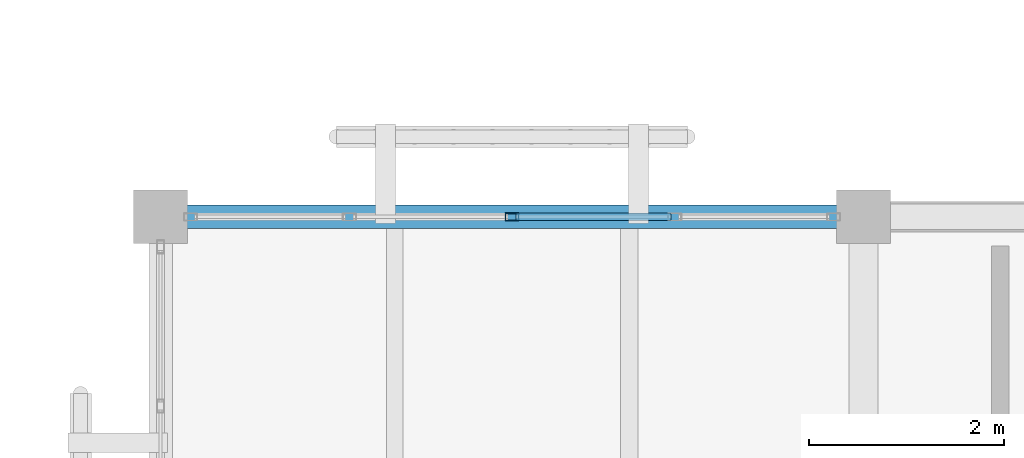
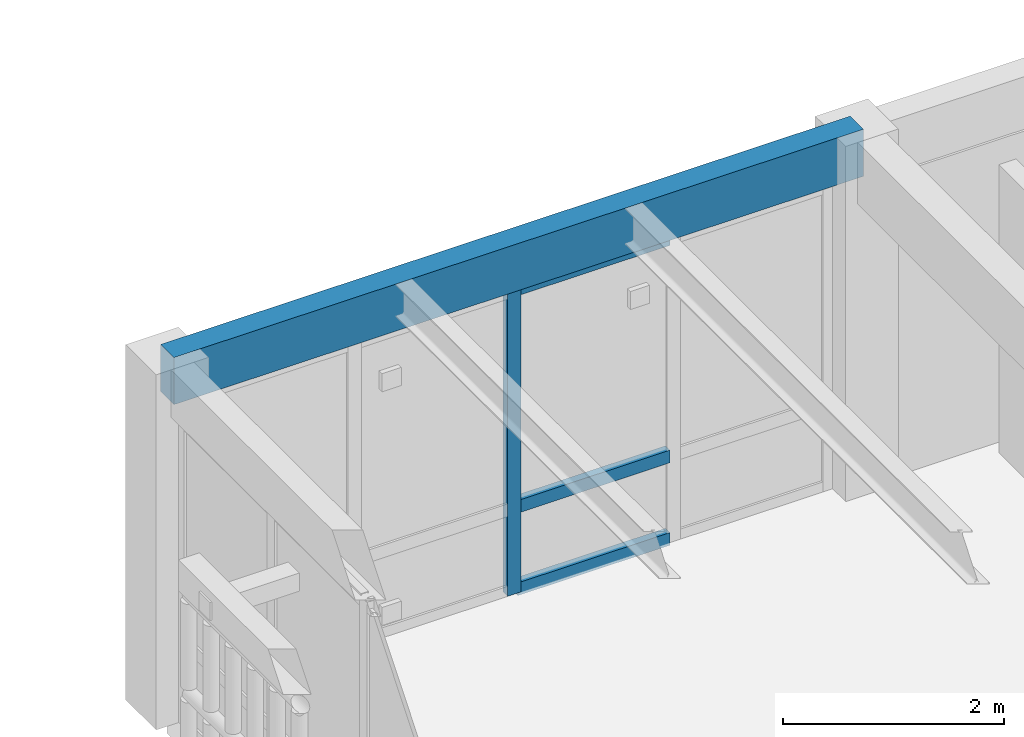
# One storey, part 88 of 170: 4 members, 1 beam, 1 element without a shape of its own.
"""IFC4 building model written with IfcOpenShell, lengths in metres."""

from ifc_helpers import new_model, si_unit, direction, frame, origin, origin_2d, place, context, subcontext, project, spatial, rectangle, hollow_rectangle, extrude, material, layer, layer_set, material_profile, profile_set, type_object, element, aggregate, save


model = new_model("IFC4")

# Units and contexts
model_context = context("Model", 3, precision=1e-05, world=origin(), true_north=direction((0.0, 1.0)))
body_context = subcontext(model_context, "Body", "Model", "MODEL_VIEW")
ifc_project = project(units=[si_unit("LENGTHUNIT", "METRE"), si_unit("AREAUNIT", "SQUARE_METRE"), si_unit("VOLUMEUNIT", "CUBIC_METRE"), si_unit("PLANEANGLEUNIT", "RADIAN"), si_unit("MASSUNIT", "GRAM", prefix="KILO")], contexts=[model_context])

# Site, building, storey
site_placement = place(None, origin())
site = spatial("IfcSite", under=ifc_project, at=site_placement, CompositionType="ELEMENT")
building_placement = place(site_placement, origin())
building = spatial("IfcBuilding", under=site, at=building_placement, Name="Mazaris Harbour Polytechnic", CompositionType="ELEMENT")
storey_placement = place(building_placement, frame((0.0, 0.0, 5.39990234375)))
storey = spatial("IfcBuildingStorey", under=building, at=storey_placement, Name="L01", CompositionType="ELEMENT", Elevation=5.39990234375)

# Curtain wall, members
ifc_material_1 = material(Name="Anodised Bronze Aluminium and Low-E Glass", Category="aluminium")
ifc_layer = layer(ifc_material_1, 0.169921875, Name="Anodised Bronze Aluminium and Low-E Glass")
ifc_layer_set = layer_set([ifc_layer], Name="Anodised Bronze Aluminium and Low-E Glass")
curtain_wall_type = type_object("IfcCurtainWallType", Name="Studio North-Light Curtain Wall", PredefinedType="NOTDEFINED", material=ifc_layer_set)
curtain_wall_placement = place(storey_placement, origin())
curtain_wall = element("IfcCurtainWall", 1, at=curtain_wall_placement, inside=storey, type_object=curtain_wall_type, Name="V5 L01 Curtain Wall 205", PredefinedType="NOTDEFINED")
ifc_material_2 = material(Name="Anodised Bronze Steel S355", Category="steel")
ifc_material_profile_1 = material_profile(ifc_material_2, hollow_rectangle(XDim=0.080078125, YDim=0.139892578125, WallThickness=0.00634765625, at=origin_2d()), Name="RHS 80x140x6.3")
ifc_profile_set_1 = profile_set([ifc_material_profile_1], Name="Anodised Bronze Steel S355")
member_type_1 = type_object("IfcMemberType", Name="Curtain Mullion RHS80x140", PredefinedType="MULLION", material=ifc_profile_set_1)
member_1_placement = place(storey_placement, frame((126.0, 108.0, 0.0), z_axis=(0.0, 0.0, 1.0), x_axis=(0.0, 1.0, 0.0)))
member_1 = element("IfcMember", 2, at=member_1_placement, type_object=member_type_1, Name="CW-03 mullion 3", PredefinedType="MULLION", context=body_context, shape_type="SweptSolid", body=[
    extrude(hollow_rectangle(XDim=0.080078125, YDim=0.139892578125, WallThickness=0.00634765625, at=origin_2d()), origin(), (0.0, 0.0, 1.0), 3.39013671875),
])
ifc_material_3 = material(Name="Anodised Bronze Steel S355", Category="steel")
ifc_material_profile_2 = material_profile(ifc_material_3, hollow_rectangle(XDim=0.080078125, YDim=0.139892578125, WallThickness=0.00634765625, at=origin_2d()), Name="RHS 80x140x6.3")
ifc_profile_set_2 = profile_set([ifc_material_profile_2], Name="Anodised Bronze Steel S355")
member_type_2 = type_object("IfcMemberType", Name="Curtain Transom RHS80x140", PredefinedType="USERDEFINED", material=ifc_profile_set_2)
member_2_placement = place(storey_placement, frame((126.0400390625, 108.0, 0.0400390625), z_axis=(1.0, 0.0, 0.0), x_axis=(0.0, 1.0, 0.0)))
member_2 = element("IfcMember", 3, at=member_2_placement, type_object=member_type_2, Name="CW-03 transom 3.1", ObjectType="TRANSOM", PredefinedType="USERDEFINED", context=body_context, shape_type="SweptSolid", body=[
    extrude(hollow_rectangle(XDim=0.080078125, YDim=0.139892578125, WallThickness=0.00634765625, at=origin_2d()), origin(), (0.0, 0.0, 1.0), 1.58642578125),
])
member_3_placement = place(storey_placement, frame((126.0400390625, 108.0, 0.9501953125), z_axis=(1.0, 0.0, 0.0), x_axis=(0.0, 1.0, 0.0)))
member_3 = element("IfcMember", 4, at=member_3_placement, type_object=member_type_2, Name="CW-03 transom 3.2", ObjectType="TRANSOM", PredefinedType="USERDEFINED", context=body_context, shape_type="SweptSolid", body=[
    extrude(hollow_rectangle(XDim=0.080078125, YDim=0.139892578125, WallThickness=0.00634765625, at=origin_2d()), origin(), (0.0, 0.0, 1.0), 1.58642578125),
])
member_4_placement = place(storey_placement, frame((126.0400390625, 108.0, 3.35009765625), z_axis=(1.0, 0.0, 0.0), x_axis=(0.0, 1.0, 0.0)))
member_4 = element("IfcMember", 5, at=member_4_placement, type_object=member_type_2, Name="CW-03 transom 3.3", ObjectType="TRANSOM", PredefinedType="USERDEFINED", context=body_context, shape_type="SweptSolid", body=[
    extrude(hollow_rectangle(XDim=0.080078125, YDim=0.139892578125, WallThickness=0.00634765625, at=origin_2d()), origin(), (0.0, 0.0, 1.0), 1.58642578125),
])
aggregate(curtain_wall, [member_1, member_2, member_3, member_4])

# Beam
ifc_material_4 = material(Name="Glulam GL32h", Category="wood")
ifc_material_profile_3 = material_profile(ifc_material_4, rectangle(XDim=0.239990234375, YDim=0.52001953125, at=origin_2d()), Name="RECT240x520")
ifc_profile_set_3 = profile_set([ifc_material_profile_3], Name="Glulam GL32h")
beam_type = type_object("IfcBeamType", Name="Glulam Girder 240x520 Exterior", PredefinedType="BEAM", material=ifc_profile_set_3)
beam_placement = place(storey_placement, frame((122.39990234375, 108.0, 3.66015625), z_axis=(1.0, 0.0, 0.0), x_axis=(0.0, 1.0, 0.0)))
element("IfcBeam", 6, at=beam_placement, inside=storey, type_object=beam_type, Name="V5 L01 Girder 2960", PredefinedType="BEAM", context=body_context, shape_type="SweptSolid", body=[
    extrude(rectangle(XDim=0.239990234375, YDim=0.52001953125, at=origin_2d()), origin(), (0.0, 0.0, 1.0), 7.2001953125),
])

save(model, "model.ifc")
